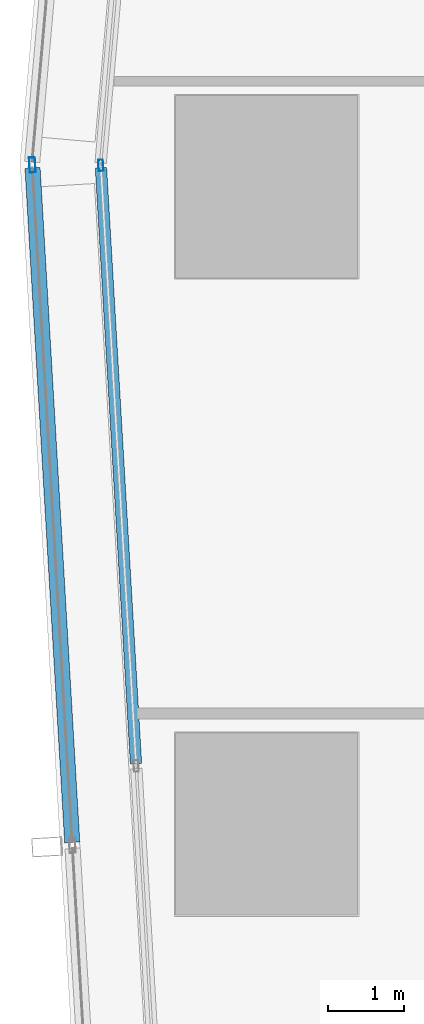
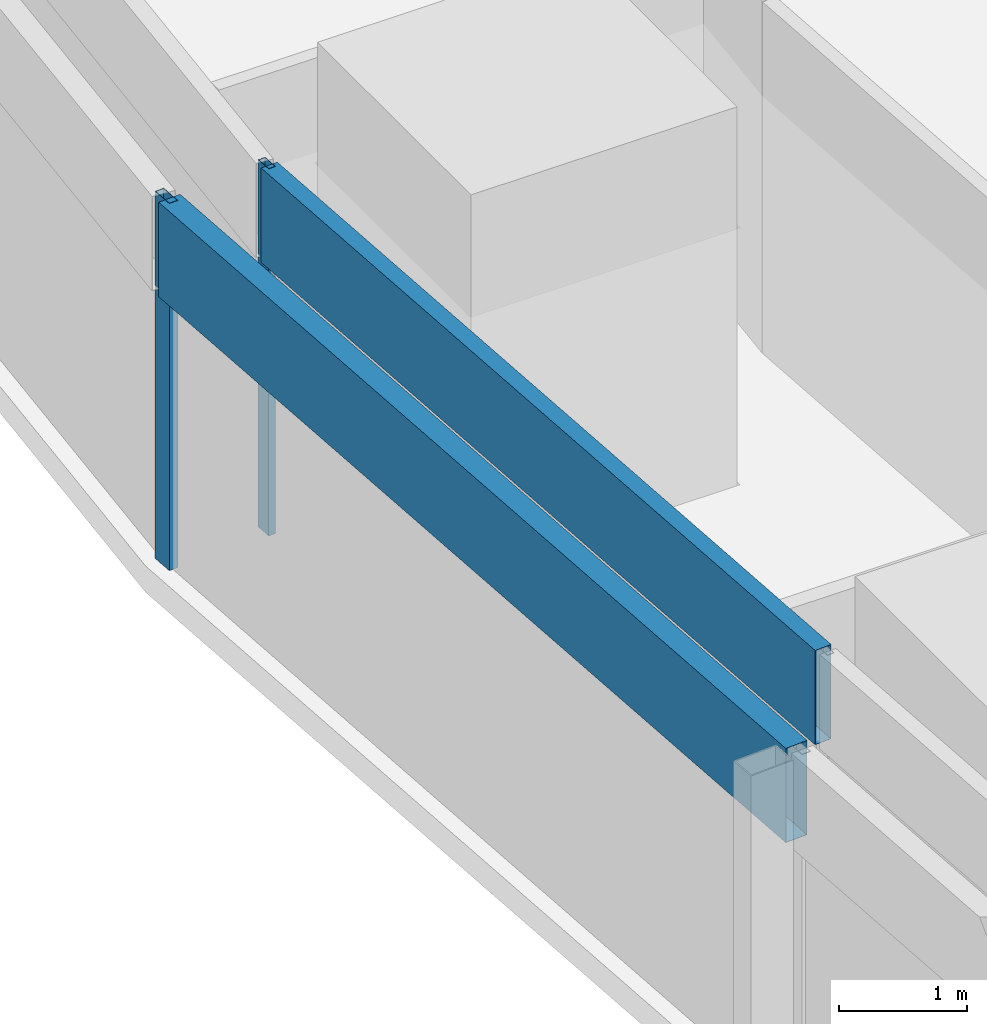
# One storey, part 7 of 37: 4 members, 2 elements without a shape of their own.
"""IFC4 building model written with IfcOpenShell, lengths in metres."""

from ifc_helpers import new_model, si_unit, direction, frame, origin, origin_2d, place, context, subcontext, project, spatial, hollow_rectangle, extrude, material, material_profile, profile_set, type_object, element, aggregate, save


model = new_model("IFC4")

# Units and contexts
model_context = context("Model", 3, precision=1e-05, world=origin(), true_north=direction((0.0, 1.0)))
body_context = subcontext(model_context, "Body", "Model", "MODEL_VIEW")
ifc_project = project(units=[si_unit("LENGTHUNIT", "METRE"), si_unit("AREAUNIT", "SQUARE_METRE"), si_unit("VOLUMEUNIT", "CUBIC_METRE"), si_unit("PLANEANGLEUNIT", "RADIAN"), si_unit("MASSUNIT", "GRAM", prefix="KILO")], contexts=[model_context])

# Site, building, storey
site_placement = place(None, origin())
site = spatial("IfcSite", under=ifc_project, at=site_placement, CompositionType="ELEMENT")
building_placement = place(site_placement, origin())
building = spatial("IfcBuilding", under=site, at=building_placement, Name="Rekha Terrace Tower", CompositionType="ELEMENT")
storey_placement = place(building_placement, frame((0.0, 0.0, 228.949951171875)))
storey = spatial("IfcBuildingStorey", under=building, at=storey_placement, Name="L58", CompositionType="ELEMENT", Elevation=228.949951171875)

# Curtain wall, members
ifc_material_1 = material(Name="Aluminium framing", Category="aluminium")
curtain_wall_type_1 = type_object("IfcCurtainWallType", Name="CW1 double skin inner glazing", PredefinedType="USERDEFINED", material=ifc_material_1)
curtain_wall_1_placement = place(storey_placement, origin())
curtain_wall_1 = element("IfcCurtainWall", 1, at=curtain_wall_1_placement, inside=storey, type_object=curtain_wall_type_1, Name="CW1 double skin inner glazing", ObjectType="DOUBLE SKIN INNER GLAZING", PredefinedType="USERDEFINED")
ifc_material_2 = material(Name="Aluminium mullion section", Category="aluminium")
ifc_material_profile_1 = material_profile(ifc_material_2, hollow_rectangle(XDim=0.06494140625, YDim=0.14990234375, WallThickness=0.00390625, at=origin_2d()), Name="AL RHS 65x150")
ifc_profile_set_1 = profile_set([ifc_material_profile_1], Name="Aluminium mullion section")
member_type_1 = type_object("IfcMemberType", Name="CW1 mullion RHS 65 x 150", PredefinedType="MULLION", material=ifc_profile_set_1)
member_1_placement = place(storey_placement, frame((6.214599609375, 42.281982421875, 0.0), z_axis=(0.0, 0.0, 1.0), x_axis=(0.998271839267, 0.058765082551, 0.0)))
member_1 = element("IfcMember", 2, at=member_1_placement, type_object=member_type_1, Name="CW1 mullion 1", PredefinedType="MULLION", context=body_context, shape_type="SweptSolid", body=[
    extrude(hollow_rectangle(XDim=0.06494140625, YDim=0.14990234375, WallThickness=0.00390625, at=origin_2d()), origin(), (0.0, 0.0, 1.0), 3.5),
])
ifc_material_3 = material(Name="Insulated aluminium spandrel box", Category="aluminium")
ifc_material_profile_2 = material_profile(ifc_material_3, hollow_rectangle(XDim=0.14990234375, YDim=0.89990234375, WallThickness=0.0029296875, at=origin_2d()), Name="AL SPANDREL BOX 150x900")
ifc_profile_set_2 = profile_set([ifc_material_profile_2], Name="Insulated aluminium spandrel box")
member_type_2 = type_object("IfcMemberType", Name="CW1 spandrel transom 150 x 900", PredefinedType="USERDEFINED", material=ifc_profile_set_2)
member_2_placement = place(storey_placement, frame((6.216552734375, 42.24951171875, 3.050048828125), z_axis=(0.058762055073, -0.99827201748, 0.0), x_axis=(0.99827201748, 0.058762055073, 0.0)))
member_2 = element("IfcMember", 3, at=member_2_placement, type_object=member_type_2, Name="CW1 spandrel transom 1", ObjectType="TRANSOM", PredefinedType="USERDEFINED", context=body_context, shape_type="SweptSolid", body=[
    extrude(hollow_rectangle(XDim=0.14990234375, YDim=0.89990234375, WallThickness=0.0029296875, at=origin_2d()), origin(), (0.0, 0.0, 1.0), 7.864990234375),
])
aggregate(curtain_wall_1, [member_1, member_2])

curtain_wall_type_2 = type_object("IfcCurtainWallType", Name="CW2 double skin outer glazing", PredefinedType="USERDEFINED", material=ifc_material_1)
curtain_wall_2_placement = place(storey_placement, origin())
curtain_wall_2 = element("IfcCurtainWall", 4, at=curtain_wall_2_placement, inside=storey, type_object=curtain_wall_type_2, Name="CW2 double skin outer glazing", ObjectType="DOUBLE SKIN OUTER GLAZING", PredefinedType="USERDEFINED")
ifc_material_profile_3 = material_profile(ifc_material_2, hollow_rectangle(XDim=0.080078125, YDim=0.199951171875, WallThickness=0.00390625, at=origin_2d()), Name="AL RHS 80x200")
ifc_profile_set_3 = profile_set([ifc_material_profile_3], Name="Aluminium mullion section")
member_type_3 = type_object("IfcMemberType", Name="CW2 mullion RHS 80 x 200", PredefinedType="MULLION", material=ifc_profile_set_3)
member_3_placement = place(storey_placement, frame((5.312744140625, 42.287841796875, 0.0), z_axis=(0.0, 0.0, 1.0), x_axis=(0.99827183927, 0.058765082499, 0.0)))
member_3 = element("IfcMember", 5, at=member_3_placement, type_object=member_type_3, Name="CW2 mullion 1", PredefinedType="MULLION", context=body_context, shape_type="SweptSolid", body=[
    extrude(hollow_rectangle(XDim=0.080078125, YDim=0.199951171875, WallThickness=0.00390625, at=origin_2d()), origin(), (0.0, 0.0, 1.0), 3.5),
])
ifc_material_profile_4 = material_profile(ifc_material_3, hollow_rectangle(XDim=0.199951171875, YDim=0.89990234375, WallThickness=0.0029296875, at=origin_2d()), Name="AL SPANDREL BOX 200x900")
ifc_profile_set_4 = profile_set([ifc_material_profile_4], Name="Insulated aluminium spandrel box")
member_type_4 = type_object("IfcMemberType", Name="CW2 spandrel transom 200 x 900", PredefinedType="USERDEFINED", material=ifc_profile_set_4)
member_4_placement = place(storey_placement, frame((5.315185546875, 42.247802734375, 3.050048828125), z_axis=(0.058762207171, -0.998272008527, 0.0), x_axis=(0.998272008527, 0.058762207171, 0.0)))
member_4 = element("IfcMember", 6, at=member_4_placement, type_object=member_type_4, Name="CW2 spandrel transom 1", ObjectType="TRANSOM", PredefinedType="USERDEFINED", context=body_context, shape_type="SweptSolid", body=[
    extrude(hollow_rectangle(XDim=0.199951171875, YDim=0.89990234375, WallThickness=0.0029296875, at=origin_2d()), origin(), (0.0, 0.0, 1.0), 8.903564453125),
])
aggregate(curtain_wall_2, [member_3, member_4])

save(model, "model.ifc")
